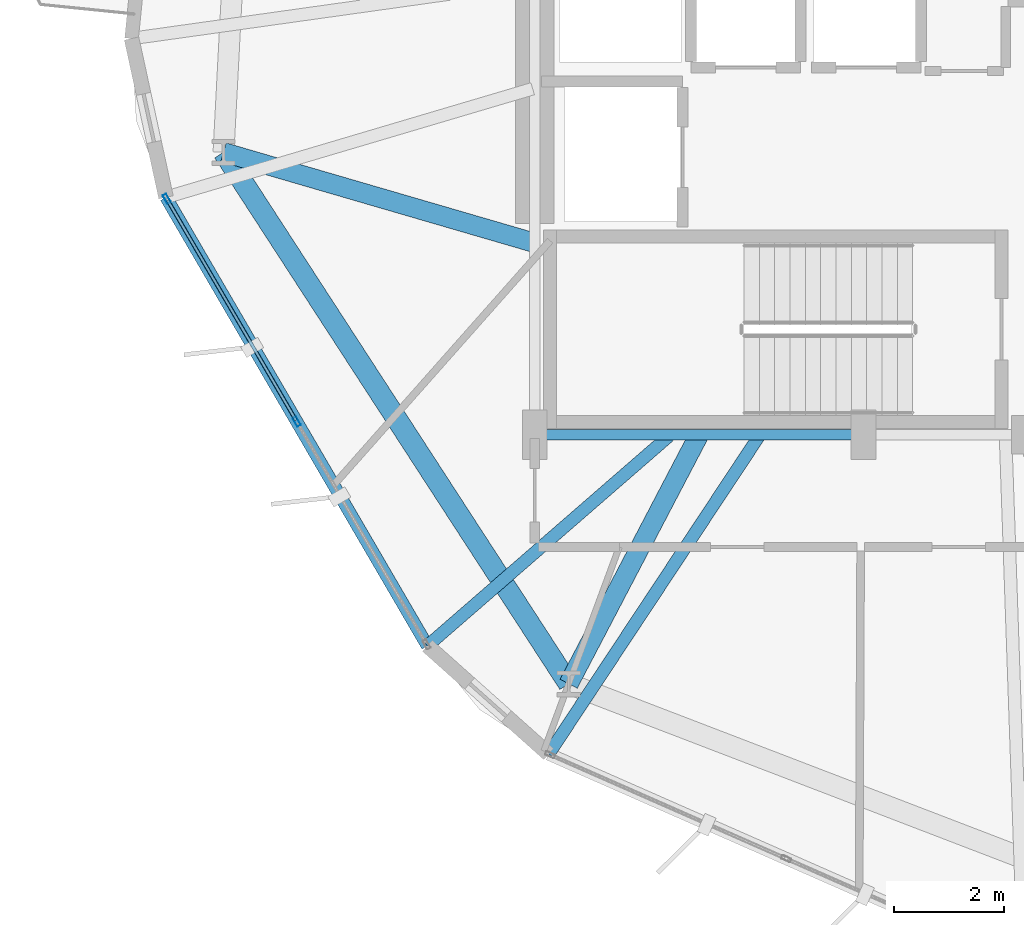
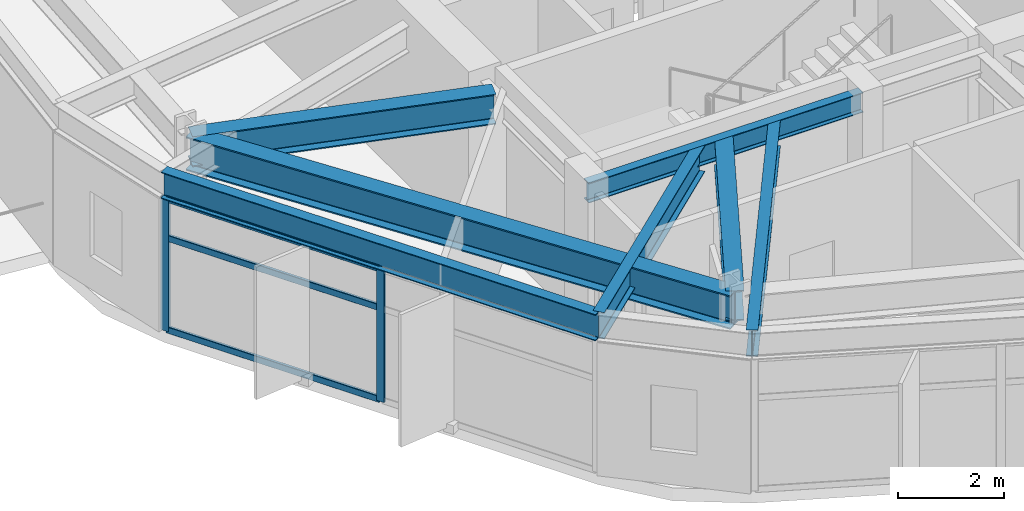
# One storey, part 3 of 22: 7 beams, 5 members, 1 element without a shape of its own.
"""IFC4 building model written with IfcOpenShell, lengths in metres."""

from ifc_helpers import new_model, si_unit, direction, frame, origin, origin_2d, place, context, subcontext, project, spatial, hollow_rectangle, i_section, extrude, material, layer, layer_set, material_profile, profile_set, type_object, element, aggregate, save


model = new_model("IFC4")

# Units and contexts
model_context = context("Model", 3, precision=1e-05, world=origin(), true_north=direction((0.0, 1.0)))
body_context = subcontext(model_context, "Body", "Model", "MODEL_VIEW")
ifc_project = project(units=[si_unit("LENGTHUNIT", "METRE"), si_unit("AREAUNIT", "SQUARE_METRE"), si_unit("VOLUMEUNIT", "CUBIC_METRE"), si_unit("PLANEANGLEUNIT", "RADIAN"), si_unit("MASSUNIT", "GRAM", prefix="KILO")], contexts=[model_context])

# Site, building, storey
site_placement = place(None, origin())
site = spatial("IfcSite", under=ifc_project, at=site_placement, CompositionType="ELEMENT")
building_placement = place(site_placement, origin())
building = spatial("IfcBuilding", under=site, at=building_placement, Name="Soratama Intermodal Tower", CompositionType="ELEMENT")
storey_placement = place(building_placement, frame((0.0, 0.0, 74.60009765625)))
storey = spatial("IfcBuildingStorey", under=building, at=storey_placement, Name="L17", CompositionType="ELEMENT", Elevation=74.60009765625)

# Beams
ifc_material_1 = material(Name="Structural steel ASTM A992 Grade 50", Category="steel")
ifc_material_profile_1 = material_profile(ifc_material_1, i_section(OverallWidth=0.19091796875, OverallDepth=0.4599609375, WebThickness=0.010009765625, FlangeThickness=0.01611328125, FilletRadius=0.010986328125, at=origin_2d()), Name="W18X55")
ifc_profile_set_1 = profile_set([ifc_material_profile_1], Name="Structural steel ASTM A992 Grade 50")
beam_type_1 = type_object("IfcBeamType", Name="BM-FLR-W18X55", PredefinedType="BEAM", material=ifc_profile_set_1)
beam_1_placement = place(storey_placement, frame((32.60009765625, 15.0, 3.469970703125), z_axis=(1.0, 0.0, 0.0), x_axis=(0.0, 1.0, 0.0)))
element("IfcBeam", 1, at=beam_1_placement, inside=storey, type_object=beam_type_1, Name="BM-L17-CRING-01", PredefinedType="BEAM", context=body_context, shape_type="SweptSolid", body=[
    extrude(i_section(OverallWidth=0.19091796875, OverallDepth=0.4599609375, WebThickness=0.010009765625, FlangeThickness=0.01611328125, FilletRadius=0.010986328125, at=origin_2d()), origin(), (0.0, 0.0, 1.0), 6.0),
])
ifc_material_2 = material(Name="Structural steel ASTM A992 Grade 50", Category="steel")
ifc_material_profile_2 = material_profile(ifc_material_2, i_section(OverallWidth=0.35498046875, OverallDepth=0.695068359375, WebThickness=0.015380859375, FlangeThickness=0.02490234375, FilletRadius=0.01611328125, at=origin_2d()), Name="W27X146")
ifc_profile_set_2 = profile_set([ifc_material_profile_2], Name="Structural steel ASTM A992 Grade 50")
beam_type_2 = type_object("IfcBeamType", Name="BM-RING-W27X146", PredefinedType="BEAM", material=ifc_profile_set_2)
beam_2_placement = place(storey_placement, frame((32.60009765625, 18.5, 3.352294921875), z_axis=(-0.960102504931, 0.279648314898, 0.0), x_axis=(-0.279648314898, -0.960102504931, 0.0)))
element("IfcBeam", 2, at=beam_2_placement, inside=storey, type_object=beam_type_2, Name="BM-L17-RAD-06", PredefinedType="BEAM", context=body_context, shape_type="SweptSolid", body=[
    extrude(i_section(OverallWidth=0.35498046875, OverallDepth=0.695068359375, WebThickness=0.015380859375, FlangeThickness=0.02490234375, FilletRadius=0.01611328125, at=origin_2d()), origin(), (0.0, 0.0, 1.0), 5.918212890625),
])
beam_3_placement = place(storey_placement, frame((35.60009765625, 15.0, 3.352294921875), z_axis=(-0.463818619792, -0.885930182314, 0.0), x_axis=(0.885930182314, -0.463818619792, 0.0)))
element("IfcBeam", 3, at=beam_3_placement, inside=storey, type_object=beam_type_2, Name="BM-L17-RAD-07", PredefinedType="BEAM", context=body_context, shape_type="SweptSolid", body=[
    extrude(i_section(OverallWidth=0.35498046875, OverallDepth=0.695068359375, WebThickness=0.015380859375, FlangeThickness=0.02490234375, FilletRadius=0.01611328125, at=origin_2d()), origin(), (0.0, 0.0, 1.0), 5.1337890625),
])
ifc_material_3 = material(Name="Structural steel ASTM A992 Grade 50", Category="steel")
ifc_material_profile_3 = material_profile(ifc_material_3, i_section(OverallWidth=0.382080078125, OverallDepth=0.779052734375, WebThickness=0.01806640625, FlangeThickness=0.030029296875, FilletRadius=0.01806640625, at=origin_2d()), Name="W30X191")
ifc_profile_set_3 = profile_set([ifc_material_profile_3], Name="Structural steel ASTM A992 Grade 50")
beam_type_3 = type_object("IfcBeamType", Name="BM-RING-W30X191", PredefinedType="BEAM", material=ifc_profile_set_3)
beam_4_placement = place(storey_placement, frame((26.91796875, 20.155029296875, 3.310302734375), z_axis=(0.544623370352, -0.838680740489, 0.0), x_axis=(0.838680740489, 0.544623370352, 0.0)))
element("IfcBeam", 4, at=beam_4_placement, inside=storey, type_object=beam_type_3, Name="BM-L17-RING-06", PredefinedType="BEAM", context=body_context, shape_type="SweptSolid", body=[
    extrude(i_section(OverallWidth=0.382080078125, OverallDepth=0.779052734375, WebThickness=0.01806640625, FlangeThickness=0.030029296875, FilletRadius=0.01806640625, at=origin_2d()), origin(), (0.0, 0.0, 1.0), 11.569580078125),
])
ifc_material_4 = material(Name="Structural steel ASTM A992 Grade 50", Category="steel")
ifc_material_profile_4 = material_profile(ifc_material_4, i_section(OverallWidth=0.22900390625, OverallDepth=0.612060546875, WebThickness=0.011962890625, FlangeThickness=0.01953125, FilletRadius=0.012939453125, at=origin_2d()), Name="W24X84")
ifc_profile_set_4 = profile_set([ifc_material_profile_4], Name="Structural steel ASTM A992 Grade 50")
beam_type_4 = type_object("IfcBeamType", Name="BM-SPN-W24X84", PredefinedType="SPANDREL", material=ifc_profile_set_4)
beam_5_placement = place(storey_placement, frame((25.867919921875, 19.33203125, 3.393798828125), z_axis=(0.503528215202, -0.863978782434, 0.0), x_axis=(0.863978782434, 0.503528215202, 0.0)))
element("IfcBeam", 5, at=beam_5_placement, inside=storey, type_object=beam_type_4, Name="BS-L17-F06", PredefinedType="SPANDREL", context=body_context, shape_type="SweptSolid", body=[
    extrude(i_section(OverallWidth=0.22900390625, OverallDepth=0.612060546875, WebThickness=0.011962890625, FlangeThickness=0.01953125, FilletRadius=0.012939453125, at=origin_2d()), origin(), (0.0, 0.0, 1.0), 9.47705078125),
])
ifc_material_5 = material(Name="Structural steel ASTM A992 Grade 50", Category="steel")
ifc_material_profile_5 = material_profile(ifc_material_5, i_section(OverallWidth=0.22900390625, OverallDepth=0.612060546875, WebThickness=0.011962890625, FlangeThickness=0.01953125, FilletRadius=0.012939453125, at=origin_2d()), Name="W24X84")
ifc_profile_set_5 = profile_set([ifc_material_profile_5], Name="Structural steel ASTM A992 Grade 50")
beam_type_5 = type_object("IfcBeamType", Name="BM-TIE-W24X84", PredefinedType="BEAM", material=ifc_profile_set_5)
beam_6_placement = place(storey_placement, frame((35.049072265625, 14.97412109375, 3.393798828125), z_axis=(-0.754943797402, -0.655789495772, 0.0), x_axis=(0.655789495772, -0.754943797402, 0.0)))
element("IfcBeam", 6, at=beam_6_placement, inside=storey, type_object=beam_type_5, Name="BM-L17-TIE1-06", PredefinedType="BEAM", context=body_context, shape_type="SweptSolid", body=[
    extrude(i_section(OverallWidth=0.22900390625, OverallDepth=0.612060546875, WebThickness=0.011962890625, FlangeThickness=0.01953125, FilletRadius=0.012939453125, at=origin_2d()), origin(), (0.0, 0.0, 1.0), 5.84033203125),
])
beam_7_placement = place(storey_placement, frame((36.69091796875, 14.967041015625, 3.393798828125), z_axis=(-0.551893829351, -0.833914384769, 0.0), x_axis=(0.833914384769, -0.551893829351, 0.0)))
element("IfcBeam", 7, at=beam_7_placement, inside=storey, type_object=beam_type_5, Name="BM-L17-TIE0-07", PredefinedType="BEAM", context=body_context, shape_type="SweptSolid", body=[
    extrude(i_section(OverallWidth=0.22900390625, OverallDepth=0.612060546875, WebThickness=0.011962890625, FlangeThickness=0.01953125, FilletRadius=0.012939453125, at=origin_2d()), origin(), (0.0, 0.0, 1.0), 6.9541015625),
])

# Curtain wall, members
ifc_material_6 = material(Name="Double-glazed aluminium curtain wall", Category="aluminium")
ifc_layer = layer(ifc_material_6, 0.159912109375)
ifc_layer_set = layer_set([ifc_layer], Name="Double-glazed aluminium curtain wall")
curtain_wall_type = type_object("IfcCurtainWallType", Name="CW-SYS-2", PredefinedType="NOTDEFINED", material=ifc_layer_set)
curtain_wall_placement = place(storey_placement, origin())
curtain_wall = element("IfcCurtainWall", 8, at=curtain_wall_placement, inside=storey, type_object=curtain_wall_type, Name="L17 Faceted Curtain Wall F06", PredefinedType="NOTDEFINED")
ifc_material_7 = material(Name="Anodised aluminium AA 6063-T6", Category="aluminium")
ifc_material_profile_6 = material_profile(ifc_material_7, hollow_rectangle(XDim=0.074951171875, YDim=0.179931640625, WallThickness=0.006103515625, InnerFilletRadius=0.006103515625, OuterFilletRadius=0.011962890625, at=origin_2d()), Name="CWM180X75X6")
ifc_profile_set_6 = profile_set([ifc_material_profile_6], Name="Anodised aluminium AA 6063-T6")
member_type_1 = type_object("IfcMemberType", Name="MT-CWM-2", PredefinedType="MULLION", material=ifc_profile_set_6)
member_1_placement = place(storey_placement, frame((25.8828125, 19.3056640625, 0.0), z_axis=(0.0, 0.0, 1.0), x_axis=(0.863925060088, 0.503620383377, 0.0)))
member_1 = element("IfcMember", 9, at=member_1_placement, type_object=member_type_1, Name="CW-2 mullion 1", PredefinedType="MULLION", context=body_context, shape_type="SweptSolid", body=[
    extrude(hollow_rectangle(XDim=0.074951171875, YDim=0.179931640625, WallThickness=0.006103515625, InnerFilletRadius=0.006103515625, OuterFilletRadius=0.011962890625, at=origin_2d()), origin(), (0.0, 0.0, 1.0), 3.078857421875),
])
member_2_placement = place(storey_placement, frame((28.254150390625, 15.238037109375, 0.0), z_axis=(0.0, 0.0, 1.0), x_axis=(0.863925060088, 0.503620383377, 0.0)))
member_2 = element("IfcMember", 10, at=member_2_placement, type_object=member_type_1, Name="CW-2 mullion 2", PredefinedType="MULLION", context=body_context, shape_type="SweptSolid", body=[
    extrude(hollow_rectangle(XDim=0.074951171875, YDim=0.179931640625, WallThickness=0.006103515625, InnerFilletRadius=0.006103515625, OuterFilletRadius=0.011962890625, at=origin_2d()), origin(), (0.0, 0.0, 1.0), 3.078857421875),
])
ifc_material_8 = material(Name="Anodised aluminium AA 6063-T6", Category="aluminium")
ifc_material_profile_7 = material_profile(ifc_material_8, hollow_rectangle(XDim=0.06494140625, YDim=0.14990234375, WallThickness=0.0048828125, InnerFilletRadius=0.0048828125, OuterFilletRadius=0.010009765625, at=origin_2d()), Name="CWT150X65X5")
ifc_profile_set_7 = profile_set([ifc_material_profile_7], Name="Anodised aluminium AA 6063-T6")
member_type_2 = type_object("IfcMemberType", Name="TT-CWT-1", PredefinedType="USERDEFINED", material=ifc_profile_set_7)
member_3_placement = place(storey_placement, frame((25.89794921875, 19.27978515625, 0.02978515625), z_axis=(0.50362608761, -0.863921734811, 0.0), x_axis=(0.863921734811, 0.50362608761, 0.0)))
member_3 = element("IfcMember", 11, at=member_3_placement, type_object=member_type_2, Name="CW-2 transom 1.1", ObjectType="TRANSOM", PredefinedType="USERDEFINED", context=body_context, shape_type="SweptSolid", body=[
    extrude(hollow_rectangle(XDim=0.06494140625, YDim=0.14990234375, WallThickness=0.0048828125, InnerFilletRadius=0.0048828125, OuterFilletRadius=0.010009765625, at=origin_2d()), origin(), (0.0, 0.0, 1.0), 4.6484375),
])
member_4_placement = place(storey_placement, frame((25.89794921875, 19.27978515625, 2.14990234375), z_axis=(0.50362608761, -0.863921734811, 0.0), x_axis=(0.863921734811, 0.50362608761, 0.0)))
member_4 = element("IfcMember", 12, at=member_4_placement, type_object=member_type_2, Name="CW-2 transom 1.2", ObjectType="TRANSOM", PredefinedType="USERDEFINED", context=body_context, shape_type="SweptSolid", body=[
    extrude(hollow_rectangle(XDim=0.06494140625, YDim=0.14990234375, WallThickness=0.0048828125, InnerFilletRadius=0.0048828125, OuterFilletRadius=0.010009765625, at=origin_2d()), origin(), (0.0, 0.0, 1.0), 4.6484375),
])
member_5_placement = place(storey_placement, frame((25.89794921875, 19.27978515625, 3.048828125), z_axis=(0.50362608761, -0.863921734811, 0.0), x_axis=(0.863921734811, 0.50362608761, 0.0)))
member_5 = element("IfcMember", 13, at=member_5_placement, type_object=member_type_2, Name="CW-2 transom 1.3", ObjectType="TRANSOM", PredefinedType="USERDEFINED", context=body_context, shape_type="SweptSolid", body=[
    extrude(hollow_rectangle(XDim=0.06494140625, YDim=0.14990234375, WallThickness=0.0048828125, InnerFilletRadius=0.0048828125, OuterFilletRadius=0.010009765625, at=origin_2d()), origin(), (0.0, 0.0, 1.0), 4.6484375),
])
aggregate(curtain_wall, [member_1, member_2, member_3, member_4, member_5])

save(model, "model.ifc")
